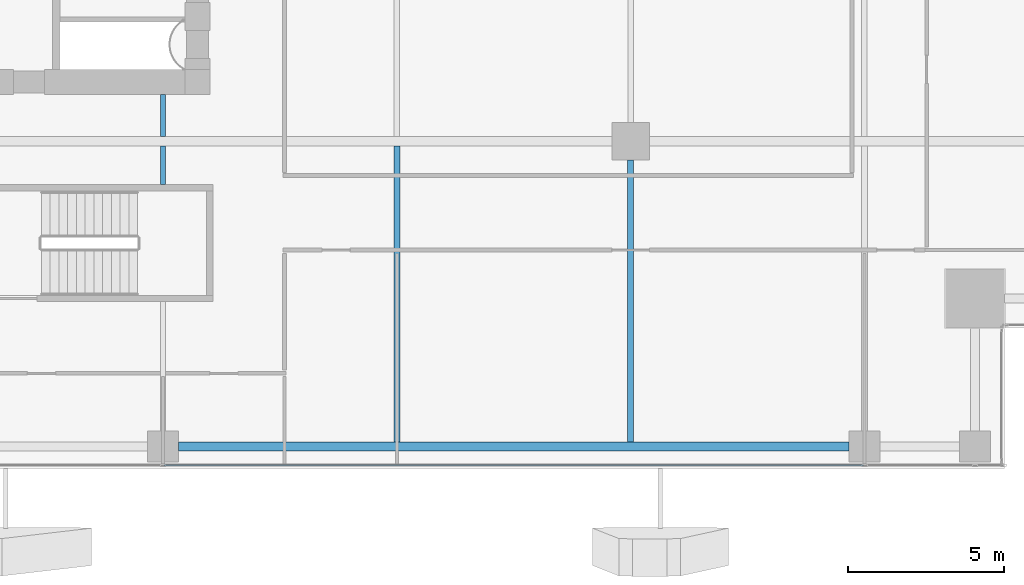
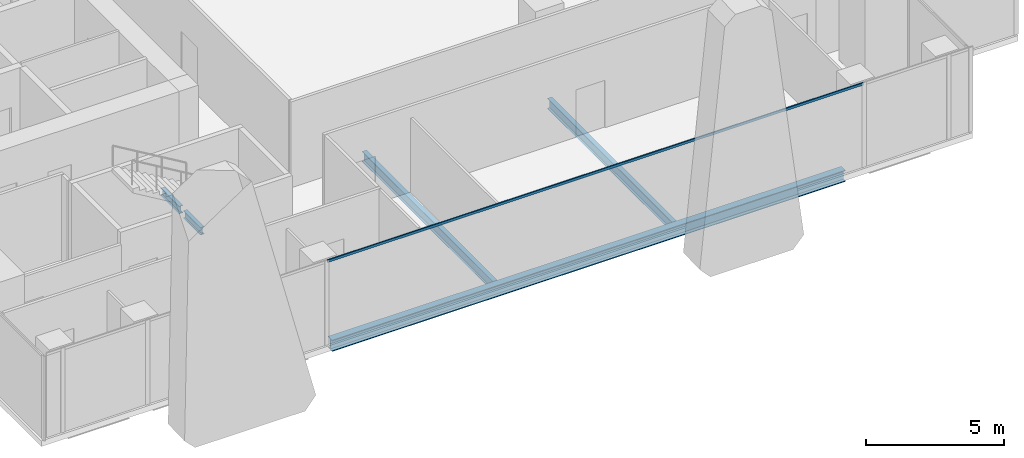
# One storey, part 7 of 38: 5 beams, 1 member, 1 element without a shape of its own.
"""IFC4 building model written with IfcOpenShell, lengths in metres."""

from ifc_helpers import new_model, si_unit, direction, frame, origin, origin_2d, place, context, subcontext, project, spatial, hollow_rectangle, i_section, extrude, source, transform, mapped, material, material_profile, profile_set, type_object, element, aggregate, save


model = new_model("IFC4")

# Units and contexts
model_context = context("Model", 3, precision=1e-05, world=origin(), true_north=direction((0.0, 1.0)))
body_context = subcontext(model_context, "Body", "Model", "MODEL_VIEW")
ifc_project = project(units=[si_unit("LENGTHUNIT", "METRE"), si_unit("AREAUNIT", "SQUARE_METRE"), si_unit("VOLUMEUNIT", "CUBIC_METRE"), si_unit("PLANEANGLEUNIT", "RADIAN"), si_unit("MASSUNIT", "GRAM", prefix="KILO")], contexts=[model_context])

# Site, building, storey
site_placement = place(None, origin())
site = spatial("IfcSite", under=ifc_project, at=site_placement, CompositionType="ELEMENT")
building_placement = place(site_placement, origin())
building = spatial("IfcBuilding", under=site, at=building_placement, Name="Khomas Fold Tower", CompositionType="ELEMENT")
storey_placement = place(building_placement, frame((0.0, 0.0, 196.699951171875)))
storey = spatial("IfcBuildingStorey", under=building, at=storey_placement, Name="L43", CompositionType="ELEMENT", Elevation=196.699951171875)

# Beams
ifc_material_1 = material(Name="Steel S355", Category="steel")
ifc_material_profile_1 = material_profile(ifc_material_1, i_section(OverallWidth=0.159912109375, OverallDepth=0.330078125, WebThickness=0.007568359375, FlangeThickness=0.011474609375, at=origin_2d()), Name="IPE 330")
ifc_profile_set_1 = profile_set([ifc_material_profile_1], Name="Steel S355")
beam_type_1 = type_object("IfcBeamType", Name="IPE 330 beam JB1", PredefinedType="BEAM", material=ifc_profile_set_1)
shared_shape_1 = source(origin(), body_context, "Body", "SweptSolid", [
    extrude(i_section(OverallWidth=0.159912109375, OverallDepth=0.330078125, WebThickness=0.007568359375, FlangeThickness=0.011474609375, at=origin_2d()), origin(), (0.0, 0.0, 1.0), 1.25),
])
beam_1_placement = place(storey_placement, frame((19.5, 12.10009765625, -0.4150390625), z_axis=(0.0, 1.0, 0.0), x_axis=(-1.0, 0.0, 0.0)))
element("IfcBeam", 1, at=beam_1_placement, inside=storey, type_object=beam_type_1, Name="JB1", PredefinedType="BEAM", context=body_context, shape_type="MappedRepresentation", body=[
    mapped(shared_shape_1, transform((0.0, 0.0, 0.0))),
])
ifc_material_2 = material(Name="Steel S355", Category="steel")
ifc_material_profile_2 = material_profile(ifc_material_2, i_section(OverallWidth=0.300048828125, OverallDepth=0.5, WebThickness=0.014404296875, FlangeThickness=0.028076171875, at=origin_2d()), Name="HE 500 B")
ifc_profile_set_2 = profile_set([ifc_material_profile_2], Name="Steel S355")
beam_type_2 = type_object("IfcBeamType", Name="HE 500 B spandrel SB3", PredefinedType="SPANDREL", material=ifc_profile_set_2)
shared_shape_2 = source(origin(), body_context, "Body", "SweptSolid", [
    extrude(i_section(OverallWidth=0.300048828125, OverallDepth=0.5, WebThickness=0.014404296875, FlangeThickness=0.028076171875, at=origin_2d()), origin(), (0.0, 0.0, 1.0), 21.5),
])
beam_2_placement = place(storey_placement, frame((20.0, 3.699951171875, -0.5), z_axis=(1.0, 0.0, 0.0), x_axis=(0.0, 1.0, 0.0)))
element("IfcBeam", 2, at=beam_2_placement, inside=storey, type_object=beam_type_2, Name="SB3", PredefinedType="SPANDREL", context=body_context, shape_type="MappedRepresentation", body=[
    mapped(shared_shape_2, transform((0.0, 0.0, 0.0))),
])
ifc_material_3 = material(Name="Steel S355", Category="steel")
ifc_material_profile_3 = material_profile(ifc_material_3, i_section(OverallWidth=0.18994140625, OverallDepth=0.449951171875, WebThickness=0.009521484375, FlangeThickness=0.0146484375, at=origin_2d()), Name="IPE 450")
ifc_profile_set_3 = profile_set([ifc_material_profile_3], Name="Steel S355")
beam_type_3 = type_object("IfcBeamType", Name="IPE 450 beam JB4", PredefinedType="BEAM", material=ifc_profile_set_3)
shared_shape_3 = source(origin(), body_context, "Body", "SweptSolid", [
    extrude(i_section(OverallWidth=0.18994140625, OverallDepth=0.449951171875, WebThickness=0.009521484375, FlangeThickness=0.0146484375, at=origin_2d()), origin(), (0.0, 0.0, 1.0), 9.5),
])
beam_3_placement = place(storey_placement, frame((27.0, 3.85009765625, -0.474853515625), z_axis=(0.0, 1.0, 0.0), x_axis=(-1.0, 0.0, 0.0)))
element("IfcBeam", 3, at=beam_3_placement, inside=storey, type_object=beam_type_3, Name="JB4", PredefinedType="BEAM", context=body_context, shape_type="MappedRepresentation", body=[
    mapped(shared_shape_3, transform((0.0, 0.0, 0.0))),
])
shared_shape_4 = source(origin(), body_context, "Body", "SweptSolid", [
    extrude(i_section(OverallWidth=0.159912109375, OverallDepth=0.330078125, WebThickness=0.007568359375, FlangeThickness=0.011474609375, at=origin_2d()), origin(), (0.0, 0.0, 1.0), 1.35009765625),
])
beam_4_placement = place(storey_placement, frame((19.5, 13.64990234375, -0.4150390625), z_axis=(0.0, 1.0, 0.0), x_axis=(-1.0, 0.0, 0.0)))
element("IfcBeam", 4, at=beam_4_placement, inside=storey, type_object=beam_type_1, Name="JB1", PredefinedType="BEAM", context=body_context, shape_type="MappedRepresentation", body=[
    mapped(shared_shape_4, transform((0.0, 0.0, 0.0))),
])
shared_shape_5 = source(origin(), body_context, "Body", "SweptSolid", [
    extrude(i_section(OverallWidth=0.18994140625, OverallDepth=0.449951171875, WebThickness=0.009521484375, FlangeThickness=0.0146484375, at=origin_2d()), origin(), (0.0, 0.0, 1.0), 9.0498046875),
])
beam_5_placement = place(storey_placement, frame((34.5, 3.85009765625, -0.474853515625), z_axis=(0.0, 1.0, 0.0), x_axis=(-1.0, 0.0, 0.0)))
element("IfcBeam", 5, at=beam_5_placement, inside=storey, type_object=beam_type_3, Name="JB4", PredefinedType="BEAM", context=body_context, shape_type="MappedRepresentation", body=[
    mapped(shared_shape_5, transform((0.0, 0.0, 0.0))),
])

# Curtain wall, member
ifc_material_4 = material(Name="Aluminium framed double glazing", Category="aluminium")
curtain_wall_type = type_object("IfcCurtainWallType", Name="SK-Unitised clear-glass wall, office floors CW2", PredefinedType="NOTDEFINED", material=ifc_material_4)
curtain_wall_placement = place(storey_placement, origin())
curtain_wall = element("IfcCurtainWall", 6, at=curtain_wall_placement, inside=storey, type_object=curtain_wall_type, Name="CW2 run L43 00-0", PredefinedType="NOTDEFINED")
ifc_material_5 = material(Name="Aluminium", Category="aluminium")
ifc_material_profile_4 = material_profile(ifc_material_5, hollow_rectangle(XDim=0.050048828125, YDim=0.110107421875, WallThickness=0.00390625, at=origin_2d()), Name="SK-Unitised clear-glass wall, office floors transom CW2-T")
ifc_profile_set_4 = profile_set([ifc_material_profile_4], Name="Aluminium")
member_type = type_object("IfcMemberType", Name="SK-Unitised clear-glass wall, office floors transom CW2-T", PredefinedType="USERDEFINED", material=ifc_profile_set_4)
shared_shape_6 = source(origin(), body_context, "Body", "SweptSolid", [
    extrude(hollow_rectangle(XDim=0.050048828125, YDim=0.110107421875, WallThickness=0.00390625, at=origin_2d()), origin(), (0.0, 0.0, 1.0), 22.43994140625),
])
member_placement = place(storey_placement, frame((19.530029296875, 3.10009765625, 3.695068359375), z_axis=(1.0, 0.0, 0.0), x_axis=(0.0, 1.0, 0.0)))
member = element("IfcMember", 7, at=member_placement, type_object=member_type, Name="CW2 transom 4", ObjectType="TRANSOM", PredefinedType="USERDEFINED", context=body_context, shape_type="MappedRepresentation", body=[
    mapped(shared_shape_6, transform((0.0, 0.0, 0.0))),
])
aggregate(curtain_wall, [member])

save(model, "model.ifc")
